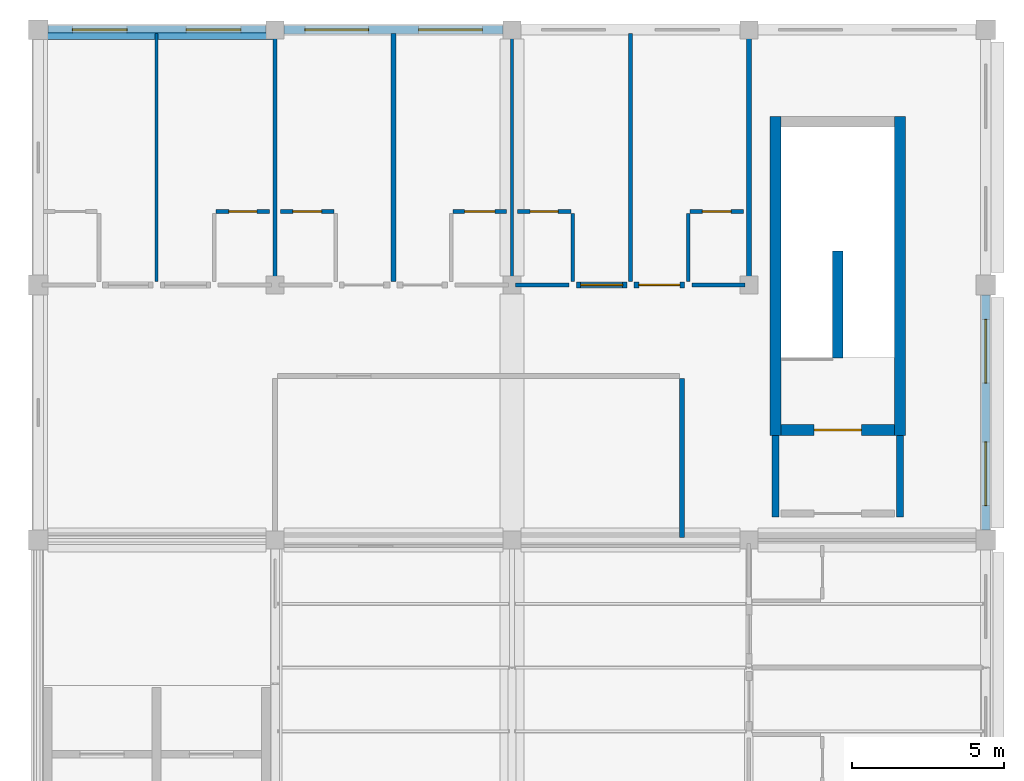
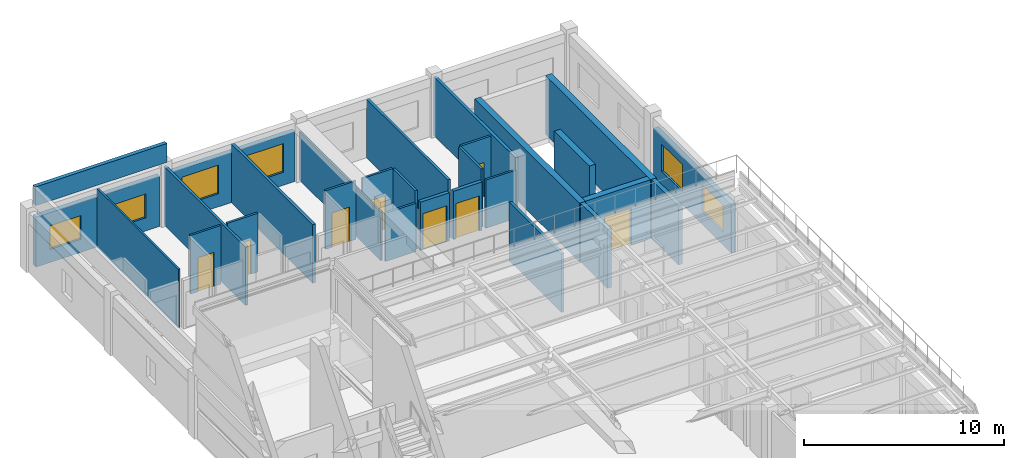
# One storey, part 18 of 20: 28 walls, 8 doors, 6 windows, 14 openings.
"""IFC4 building model written with IfcOpenShell, lengths in metres."""

import ifcopenshell
import ifcopenshell.guid

model = None  # the IFC model being written
_history = None  # IfcOwnerHistory: only IFC2X3 demands one
_inside = {}  # id of a spatial element -> (the spatial element, [elements in it])
_under = {}  # id of a project, library or spatial element -> (it, [spatial elements below it])
_declared = {}  # id of a project -> (the project, [libraries it declares])
_typed = {}  # id of a type object -> (the type object, [elements of that type])
_made_of = {}  # id of a material, layer set ... -> (it, [elements and type objects made of it])


def new_model(schema):
    """Start an empty IFC model of exactly this schema.

    Asked for "IFC4X3", IfcOpenShell would pick the latest addendum, in which some entities
    have other attributes; the version numbers below select the first issue.
    IFC2X3 requires an IfcOwnerHistory on every rooted entity: one is made here for all.
    """
    global model, _history
    if schema == "IFC4X3":
        model = ifcopenshell.file(schema_version=(4, 3, 0, 0))
    else:
        model = ifcopenshell.file(schema=schema)
    _inside.clear()
    _under.clear()
    _declared.clear()
    _typed.clear()
    _made_of.clear()
    _history = None
    if model.schema == "IFC2X3":
        org = make("IfcOrganization", Name="unknown")
        user = make(
            "IfcPersonAndOrganization",
            ThePerson=make("IfcPerson", FamilyName="unknown"),
            TheOrganization=org,
        )
        app = make(
            "IfcApplication",
            ApplicationDeveloper=org,
            Version="unknown",
            ApplicationFullName="unknown",
            ApplicationIdentifier="unknown",
        )
        _history = make(
            "IfcOwnerHistory",
            OwningUser=user,
            OwningApplication=app,
            ChangeAction="ADDED",
            CreationDate=0,
        )
    return model


def make(cls, **values):
    """One entity of the class cls with the attributes given. An attribute that is None is left unset."""
    return model.create_entity(
        cls, **{name: value for name, value in values.items() if value is not None}
    )


def rooted(cls, **values):
    """An entity with a GlobalId (a new one), such as an element, a storey or a relation."""
    return make(cls, GlobalId=ifcopenshell.guid.new(), OwnerHistory=_history, **values)


def si_unit(unit_type, name, prefix=None):
    """IfcSIUnit, for example si_unit("LENGTHUNIT", "METRE", prefix="MILLI")."""
    return make("IfcSIUnit", UnitType=unit_type, Prefix=prefix, Name=name)


def assignment(units):
    """IfcUnitAssignment: the units of a project."""
    return None if units is None else make("IfcUnitAssignment", Units=units)


def point(xyz):
    """IfcCartesianPoint."""
    return None if xyz is None else make("IfcCartesianPoint", Coordinates=xyz)


def direction(xyz):
    """IfcDirection."""
    return None if xyz is None else make("IfcDirection", DirectionRatios=xyz)


def frame(location, z_axis=None, x_axis=None):
    """IfcAxis2Placement3D, a coordinate frame: its origin and axes. An axis left out is left unset."""
    return make(
        "IfcAxis2Placement3D",
        Location=point(location),
        Axis=direction(z_axis),
        RefDirection=direction(x_axis),
    )


def frame_2d(location, x_axis=None):
    """IfcAxis2Placement2D, a coordinate frame in the plane: its origin and x axis."""
    return make(
        "IfcAxis2Placement2D", Location=point(location), RefDirection=direction(x_axis)
    )


def origin():
    """The frame at (0, 0, 0) with its axes left unset."""
    return frame((0.0, 0.0, 0.0))


def place(relative_to, where):
    """IfcLocalPlacement: puts the frame where relative to a parent placement (None: the world)."""
    return make(
        "IfcLocalPlacement", PlacementRelTo=relative_to, RelativePlacement=where
    )


def context(
    kind, dimensions, precision=None, world=None, true_north=None, identifier=None
):
    """IfcGeometricRepresentationContext, for example the 3D "Model" context."""
    return make(
        "IfcGeometricRepresentationContext",
        ContextIdentifier=identifier,
        ContextType=kind,
        CoordinateSpaceDimension=dimensions,
        Precision=precision,
        WorldCoordinateSystem=world,
        TrueNorth=true_north,
    )


def subcontext(parent, identifier, kind, view, scale=None):
    """IfcGeometricRepresentationSubContext, for example "Body" below "Model"."""
    return make(
        "IfcGeometricRepresentationSubContext",
        ContextIdentifier=identifier,
        ContextType=kind,
        ParentContext=parent,
        TargetScale=scale,
        TargetView=view,
    )


def project(units=None, contexts=None):
    """IfcProject with its units and contexts."""
    return rooted(
        "IfcProject",
        Name="project",
        RepresentationContexts=contexts,
        UnitsInContext=assignment(units),
    )


def spatial(cls, under=None, at=None, **own):
    """A site, building, storey or space (cls), placed at a placement, below another one or the project."""
    s = rooted(cls, ObjectPlacement=at, **own)
    if under is not None:
        _under.setdefault(under.id(), (under, []))[1].append(s)
    return s


def profile(cls, at=None, kind="AREA", **sizes):
    """A parametric profile (cls). Its sizes go by their IFC names, for example OverallWidth=200.0."""
    return make(cls, ProfileType=kind, Position=at, **sizes)


def rectangle(**sizes):
    """IfcRectangleProfileDef."""
    return profile("IfcRectangleProfileDef", **sizes)


def extrude(swept, where, along, depth):
    """IfcExtrudedAreaSolid: the profile swept, set in the frame where, extruded along a direction by depth."""
    return make(
        "IfcExtrudedAreaSolid",
        SweptArea=swept,
        Position=where,
        ExtrudedDirection=direction(along),
        Depth=depth,
    )


def shape(context_of_items, identifier, shape_type, items):
    """IfcShapeRepresentation: the items that make up one representation, for example the "Body"."""
    return make(
        "IfcShapeRepresentation",
        ContextOfItems=context_of_items,
        RepresentationIdentifier=identifier,
        RepresentationType=shape_type,
        Items=items,
    )


def material(Name=None, Category=None):
    """IfcMaterial."""
    return make("IfcMaterial", Name=Name, Category=Category)


def layer(
    of_material, thickness, ventilated=None, Name=None, Category=None, Priority=None
):
    """IfcMaterialLayer: one layer of a wall or slab, of a material (None: an air gap)."""
    return make(
        "IfcMaterialLayer",
        Material=of_material,
        LayerThickness=thickness,
        IsVentilated=ventilated,
        Name=Name,
        Category=Category,
        Priority=Priority,
    )


def layer_set(layers, Name=None):
    """IfcMaterialLayerSet."""
    return make("IfcMaterialLayerSet", MaterialLayers=layers, LayerSetName=Name)


def made_of(thing, what):
    """Note that an element or type object is made of a material, layer set ...; save() writes the relation."""
    if what is not None:
        _made_of.setdefault(what.id(), (what, []))[1].append(thing)
    return thing


def type_object(cls, material=None, **own):
    """A type object (cls), such as IfcWallType, which elements share."""
    return made_of(rooted(cls, **own), material)


def element(
    cls,
    number,
    at=None,
    inside=None,
    cuts=None,
    type_object=None,
    material=None,
    context=None,
    identifier="Body",
    shape_type=None,
    held_by="IfcProductDefinitionShape",
    body=None,
    shapes=None,
    **own,
):
    """One element of the class cls, such as IfcWall. Its Tag is "e" and its number.

    at: its placement. inside: the storey or other place that contains it. cuts: it is an
    opening in that element (IfcRelVoidsElement). A single representation is given by context,
    identifier, shape_type and body (its items); several are given by shapes. held_by: the class
    of the entity that holds the representations. save() writes the other relations.
    """
    e = rooted(cls, Tag="e%d" % number, ObjectPlacement=at, **own)
    if body is not None:
        shapes = [shape(context, identifier, shape_type, body)]
    if shapes is not None:
        e.Representation = make(held_by, Representations=shapes)
    if inside is not None:
        _inside.setdefault(inside.id(), (inside, []))[1].append(e)
    if cuts is not None:
        rooted(
            "IfcRelVoidsElement", RelatingBuildingElement=cuts, RelatedOpeningElement=e
        )
    if type_object is not None:
        _typed.setdefault(type_object.id(), (type_object, []))[1].append(e)
    return made_of(e, material)


def fill(opening, filler):
    """IfcRelFillsElement: the door or window that sits in an opening."""
    return rooted(
        "IfcRelFillsElement",
        RelatingOpeningElement=opening,
        RelatedBuildingElement=filler,
    )


def aggregate(whole, parts):
    """IfcRelAggregates: a whole, such as a stair, and the parts it consists of."""
    return rooted("IfcRelAggregates", RelatingObject=whole, RelatedObjects=parts)


def save(model, path):
    """Write the relations noted so far, then the file.

    IfcRelAggregates (storeys below a building ...), IfcRelContainedInSpatialStructure (elements
    in a storey), IfcRelDefinesByType, IfcRelAssociatesMaterial and IfcRelDeclares: one each for
    every whole, place, type object, material and project.
    """
    for whole, parts in _under.values():
        aggregate(whole, parts)
    for where, things in _inside.values():
        rooted(
            "IfcRelContainedInSpatialStructure",
            RelatedElements=things,
            RelatingStructure=where,
        )
    for kind, things in _typed.values():
        rooted("IfcRelDefinesByType", RelatedObjects=things, RelatingType=kind)
    for what, things in _made_of.values():
        rooted("IfcRelAssociatesMaterial", RelatedObjects=things, RelatingMaterial=what)
    for by, libraries in _declared.values():
        rooted("IfcRelDeclares", RelatingContext=by, RelatedDefinitions=libraries)
    model.write(path)


model = new_model("IFC4")

# Units and contexts
model_context = context("Model", 3, precision=1e-05, world=origin(), true_north=direction((0.0, 1.0)))
body_context = subcontext(model_context, "Body", "Model", "MODEL_VIEW")
ifc_project = project(units=[si_unit("LENGTHUNIT", "METRE"), si_unit("AREAUNIT", "SQUARE_METRE"), si_unit("VOLUMEUNIT", "CUBIC_METRE"), si_unit("PLANEANGLEUNIT", "RADIAN"), si_unit("MASSUNIT", "GRAM", prefix="KILO"), si_unit("THERMODYNAMICTEMPERATUREUNIT", "KELVIN"), si_unit("POWERUNIT", "WATT")], contexts=[model_context])

# Site, building, storey
site_placement = place(None, origin())
site = spatial("IfcSite", under=ifc_project, at=site_placement, CompositionType="ELEMENT")
building_placement = place(site_placement, origin())
building = spatial("IfcBuilding", under=site, at=building_placement, Name="Srebrne Nadtorze General Hospital", CompositionType="ELEMENT")
storey_placement = place(building_placement, frame((0.0, 0.0, 33.89990234375)))
storey = spatial("IfcBuildingStorey", under=building, at=storey_placement, Name="L08", CompositionType="ELEMENT", Elevation=33.89990234375)

# Walls
ifc_material_1 = material(Name="Gypsum Healthcare Partition")
ifc_layer_1 = layer(ifc_material_1, 0.139892578125)
ifc_layer_set_1 = layer_set([ifc_layer_1], Name="Gypsum Healthcare Partition")
wall_type_1 = type_object("IfcWallType", Name="Clinical partition 140", PredefinedType="PARTITIONING", material=ifc_layer_set_1)
for number, where, z_axis, x_axis, name in (
    (1, (31.199951171875, 84.1201171875, 0.0), (0.0, 0.0, 1.0), (0.0, 1.0, 0.0), "Ward inter-room partition WL-INT-L08-2475"),
    (2, (42.89990234375, 84.1201171875, 0.0), (0.0, 0.0, 1.0), (0.0, 1.0, 0.0), "Ward inter-room partition WL-INT-L08-2490"),
):
    element("IfcWall", number, at=place(storey_placement, frame(where, z_axis=z_axis, x_axis=x_axis)), inside=storey, type_object=wall_type_1, Name=name, PredefinedType="PARTITIONING", context=body_context, shape_type="SweptSolid", body=[
        extrude(rectangle(XDim=8.159912109375, YDim=0.139892578125, at=frame_2d((4.080078125, 0.0))), origin(), (0.0, 0.0, 1.0), 3.580078125),
    ])
ifc_material_2 = material(Name="Gypsum Healthcare Partition")
ifc_layer_2 = layer(ifc_material_2, 0.159912109375)
ifc_layer_set_2 = layer_set([ifc_layer_2], Name="Gypsum Healthcare Partition")
wall_type_2 = type_object("IfcWallType", Name="Clinical partition 160", PredefinedType="PARTITIONING", material=ifc_layer_set_2)
for number, where, z_axis, x_axis, name in (
    (3, (35.10009765625, 84.1201171875, 0.0), (0.0, 0.0, 1.0), (0.0, 1.0, 0.0), "Ward inter-room partition WL-INT-L08-2480"),
    (4, (46.800048828125, 84.1201171875, 0.0), (0.0, 0.0, 1.0), (0.0, 1.0, 0.0), "Ward inter-room partition WL-INT-L08-2495"),
):
    element("IfcWall", number, at=place(storey_placement, frame(where, z_axis=z_axis, x_axis=x_axis)), inside=storey, type_object=wall_type_2, Name=name, PredefinedType="PARTITIONING", context=body_context, shape_type="SweptSolid", body=[
        extrude(rectangle(XDim=8.159912109375, YDim=0.159912109375, at=frame_2d((4.080078125, 0.0))), origin(), (0.0, 0.0, 1.0), 3.580078125),
    ])
wall_1_placement = place(storey_placement, frame((44.60009765625, 75.68505859375, 0.0), z_axis=(0.0, 0.0, 1.0), x_axis=(0.0, 1.0, 0.0)))
element("IfcWall", 5, at=wall_1_placement, inside=storey, type_object=wall_type_2, Name="Flight Medical Crew Readiness Room wall WL-INT-L08-2529", PredefinedType="PARTITIONING", context=body_context, shape_type="SweptSolid", body=[
    extrude(rectangle(XDim=5.22998046875, YDim=0.159912109375, at=frame_2d((2.614990234375, 0.0))), origin(), (0.0, 0.0, 1.0), 3.580078125),
])

# Wall, opening, door
ifc_material_3 = material(Name="Gypsum Healthcare Partition")
ifc_layer_3 = layer(ifc_material_3, 0.199951171875)
ifc_layer_set_3 = layer_set([ifc_layer_3], Name="Gypsum Healthcare Partition")
wall_type_3 = type_object("IfcWallType", Name="Compartment wall 200", PredefinedType="STANDARD", material=ifc_layer_set_3)
wall_2_placement = place(storey_placement, frame((41.1201171875, 84.0, 0.0), z_axis=(0.0, 0.0, 1.0), x_axis=(1.0, 0.0, 0.0)))
wall_2 = element("IfcWall", 6, at=wall_2_placement, inside=storey, type_object=wall_type_3, Name="Ward corridor wall WL-INT-L08-2491", PredefinedType="STANDARD", context=body_context, shape_type="SweptSolid", body=[
    extrude(rectangle(XDim=1.659912109375, YDim=0.199951171875, at=frame_2d((0.830078125, 0.0))), origin(), (0.0, 0.0, 1.0), 2.9501953125),
])
opening_1_placement = place(wall_2_placement, frame((0.139892578125, 0.0, 0.0)))
opening_1 = element("IfcOpeningElement", 7, at=opening_1_placement, cuts=wall_2, Name="Opening D-L08-0581", PredefinedType="OPENING", context=body_context, shape_type="SweptSolid", body=[
    extrude(rectangle(XDim=1.3798828125, YDim=2.199951171875, at=frame_2d((0.68994140625, 1.10009765625))), frame((0.0, 0.11181640625, 0.0), z_axis=(0.0, -1.0, 0.0), x_axis=(1.0, 0.0, 0.0)), (0.0, 0.0, 1.0), 0.223876953125),
])
ifc_material_4 = material(Name="Anodised Aluminium", Category="aluminium")
door_type_1 = type_object("IfcDoorType", Name="Single leaf door 1380x2200", OperationType="NOTDEFINED", PredefinedType="DOOR", material=ifc_material_4)
door_1_placement = place(opening_1_placement, origin())
door_1 = element("IfcDoor", 8, at=door_1_placement, inside=storey, type_object=door_type_1, Name="Ward patient room door D-L08-0581", OperationType="SINGLE_SWING_LEFT", OverallHeight=2.199951171875, OverallWidth=1.3798828125, PredefinedType="DOOR", context=body_context, shape_type="SweptSolid", body=[
    extrude(rectangle(XDim=1.3798828125, YDim=2.199951171875, at=frame_2d((0.68994140625, 1.10009765625))), frame((0.0, 0.02490234375, 0.0), z_axis=(0.0, -1.0, 0.0), x_axis=(1.0, 0.0, 0.0)), (0.0, 0.0, 1.0), 0.050048828125),
])
fill(opening_1, door_1)

wall_3_placement = place(storey_placement, frame((43.02001953125, 84.0, 0.0), z_axis=(0.0, 0.0, 1.0), x_axis=(1.0, 0.0, 0.0)))
wall_3 = element("IfcWall", 9, at=wall_3_placement, inside=storey, type_object=wall_type_3, Name="Ward corridor wall WL-INT-L08-2496", PredefinedType="STANDARD", context=body_context, shape_type="SweptSolid", body=[
    extrude(rectangle(XDim=1.659912109375, YDim=0.199951171875, at=frame_2d((0.830078125, 0.0))), origin(), (0.0, 0.0, 1.0), 2.9501953125),
])
opening_2_placement = place(wall_3_placement, frame((0.155029296875, 0.0, 0.0)))
opening_2 = element("IfcOpeningElement", 10, at=opening_2_placement, cuts=wall_3, Name="Opening D-L08-0583", PredefinedType="OPENING", context=body_context, shape_type="SweptSolid", body=[
    extrude(rectangle(XDim=1.35009765625, YDim=2.14990234375, at=frame_2d((0.675048828125, 1.074951171875))), frame((0.0, 0.11181640625, 0.0), z_axis=(0.0, -1.0, 0.0), x_axis=(1.0, 0.0, 0.0)), (0.0, 0.0, 1.0), 0.223876953125),
])
ifc_material_5 = material(Name="Anodised Aluminium", Category="aluminium")
door_type_2 = type_object("IfcDoorType", Name="Single leaf door 1350x2150", OperationType="NOTDEFINED", PredefinedType="DOOR", material=ifc_material_5)
door_2_placement = place(opening_2_placement, origin())
door_2 = element("IfcDoor", 11, at=door_2_placement, inside=storey, type_object=door_type_2, Name="Ward patient room door D-L08-0583", OperationType="SINGLE_SWING_LEFT", OverallHeight=2.14990234375, OverallWidth=1.35009765625, PredefinedType="DOOR", context=body_context, shape_type="SweptSolid", body=[
    extrude(rectangle(XDim=1.35009765625, YDim=2.14990234375, at=frame_2d((0.675048828125, 1.074951171875))), frame((0.0, 0.02490234375, 0.0), z_axis=(0.0, -1.0, 0.0), x_axis=(1.0, 0.0, 0.0)), (0.0, 0.0, 1.0), 0.050048828125),
])
fill(opening_2, door_2)

# Walls
ifc_material_6 = material(Name="Gypsum Healthcare Partition")
ifc_layer_4 = layer(ifc_material_6, 0.239990234375)
ifc_layer_set_4 = layer_set([ifc_layer_4], Name="Gypsum Healthcare Partition")
wall_type_4 = type_object("IfcWallType", Name="Corridor fire wall 240", PredefinedType="STANDARD", material=ifc_layer_set_4)
for number, where, z_axis, x_axis, name in (
    (12, (47.675048828125, 76.35498046875, 0.0), (0.0, 0.0, 1.0), (0.0, 1.0, 0.0), "Fire lobby wall ST-02 WL-INT-L08-0453"),
    (13, (51.77490234375, 76.35498046875, 0.0), (0.0, 0.0, 1.0), (0.0, 1.0, 0.0), "Fire lobby wall ST-02 WL-INT-L08-0454"),
):
    element("IfcWall", number, at=place(storey_placement, frame(where, z_axis=z_axis, x_axis=x_axis)), inside=storey, type_object=wall_type_4, Name=name, PredefinedType="STANDARD", context=body_context, shape_type="SweptSolid", body=[
        extrude(rectangle(XDim=2.695068359375, YDim=0.239990234375, at=frame_2d((1.34765625, 0.0))), origin(), (0.0, 0.0, 1.0), 3.60009765625),
    ])

# Wall, opening, door
ifc_material_7 = material(Name="Gypsum Healthcare Partition")
ifc_layer_5 = layer(ifc_material_7, 0.1201171875)
ifc_layer_set_5 = layer_set([ifc_layer_5], Name="Gypsum Healthcare Partition")
wall_type_5 = type_object("IfcWallType", Name="En-suite partition 120", PredefinedType="PARTITIONING", material=ifc_layer_set_5)
wall_4_placement = place(storey_placement, frame((29.260009765625, 86.419921875, 0.0), z_axis=(0.0, 0.0, 1.0), x_axis=(1.0, 0.0, 0.0)))
wall_4 = element("IfcWall", 14, at=wall_4_placement, inside=storey, type_object=wall_type_5, Name="En-suite wet wall WL-INT-L08-2479", PredefinedType="PARTITIONING", context=body_context, shape_type="SweptSolid", body=[
    extrude(rectangle(XDim=1.760009765625, YDim=0.1201171875, at=frame_2d((0.8798828125, 0.0))), origin(), (0.0, 0.0, 1.0), 3.580078125),
])
opening_3_placement = place(wall_4_placement, frame((0.419921875, 0.0, 0.0)))
opening_3 = element("IfcOpeningElement", 15, at=opening_3_placement, cuts=wall_4, Name="Opening D-L08-0576", PredefinedType="OPENING", context=body_context, shape_type="SweptSolid", body=[
    extrude(rectangle(XDim=0.919921875, YDim=2.080078125, at=frame_2d((0.4599609375, 1.0400390625))), frame((0.0, 0.072021484375, 0.0), z_axis=(0.0, -1.0, 0.0), x_axis=(1.0, 0.0, 0.0)), (0.0, 0.0, 1.0), 0.14404296875),
])
ifc_material_8 = material(Name="Anodised Aluminium", Category="aluminium")
door_type_3 = type_object("IfcDoorType", Name="Single leaf door 920x2080", OperationType="NOTDEFINED", PredefinedType="DOOR", material=ifc_material_8)
door_3_placement = place(opening_3_placement, frame((0.919921875, 0.0, 0.0), z_axis=(0.0, 0.0, 1.0), x_axis=(-1.0, 0.0, 0.0)))
door_3 = element("IfcDoor", 16, at=door_3_placement, inside=storey, type_object=door_type_3, Name="En-suite bathroom door D-L08-0576", OperationType="SINGLE_SWING_LEFT", OverallHeight=2.080078125, OverallWidth=0.919921875, PredefinedType="DOOR", context=body_context, shape_type="SweptSolid", body=[
    extrude(rectangle(XDim=0.919921875, YDim=2.080078125, at=frame_2d((0.4599609375, 1.0400390625))), frame((0.0, 0.02490234375, 0.0), z_axis=(0.0, -1.0, 0.0), x_axis=(1.0, 0.0, 0.0)), (0.0, 0.0, 1.0), 0.050048828125),
])
fill(opening_3, door_3)

wall_5_placement = place(storey_placement, frame((31.3798828125, 86.419921875, 0.0), z_axis=(0.0, 0.0, 1.0), x_axis=(1.0, 0.0, 0.0)))
wall_5 = element("IfcWall", 17, at=wall_5_placement, inside=storey, type_object=wall_type_5, Name="En-suite wet wall WL-INT-L08-2484", PredefinedType="PARTITIONING", context=body_context, shape_type="SweptSolid", body=[
    extrude(rectangle(XDim=1.760009765625, YDim=0.1201171875, at=frame_2d((0.8798828125, 0.0))), origin(), (0.0, 0.0, 1.0), 3.580078125),
])
opening_4_placement = place(wall_5_placement, frame((0.405029296875, 0.0, 0.0)))
opening_4 = element("IfcOpeningElement", 18, at=opening_4_placement, cuts=wall_5, Name="Opening D-L08-0578", PredefinedType="OPENING", context=body_context, shape_type="SweptSolid", body=[
    extrude(rectangle(XDim=0.949951171875, YDim=2.10009765625, at=frame_2d((0.47509765625, 1.050048828125))), frame((0.0, 0.072021484375, 0.0), z_axis=(0.0, -1.0, 0.0), x_axis=(1.0, 0.0, 0.0)), (0.0, 0.0, 1.0), 0.14404296875),
])
ifc_material_9 = material(Name="Anodised Aluminium", Category="aluminium")
door_type_4 = type_object("IfcDoorType", Name="Single leaf door 950x2100", OperationType="NOTDEFINED", PredefinedType="DOOR", material=ifc_material_9)
door_4_placement = place(opening_4_placement, frame((0.949951171875, 0.0, 0.0), z_axis=(0.0, 0.0, 1.0), x_axis=(-1.0, 0.0, 0.0)))
door_4 = element("IfcDoor", 19, at=door_4_placement, inside=storey, type_object=door_type_4, Name="En-suite bathroom door D-L08-0578", OperationType="SINGLE_SWING_LEFT", OverallHeight=2.10009765625, OverallWidth=0.949951171875, PredefinedType="DOOR", context=body_context, shape_type="SweptSolid", body=[
    extrude(rectangle(XDim=0.949951171875, YDim=2.10009765625, at=frame_2d((0.47509765625, 1.050048828125))), frame((0.0, 0.02490234375, 0.0), z_axis=(0.0, -1.0, 0.0), x_axis=(1.0, 0.0, 0.0)), (0.0, 0.0, 1.0), 0.050048828125),
])
fill(opening_4, door_4)

wall_6_placement = place(storey_placement, frame((37.06005859375, 86.419921875, 0.0), z_axis=(0.0, 0.0, 1.0), x_axis=(1.0, 0.0, 0.0)))
wall_6 = element("IfcWall", 20, at=wall_6_placement, inside=storey, type_object=wall_type_5, Name="En-suite wet wall WL-INT-L08-2489", PredefinedType="PARTITIONING", context=body_context, shape_type="SweptSolid", body=[
    extrude(rectangle(XDim=1.760009765625, YDim=0.1201171875, at=frame_2d((0.8798828125, 0.0))), origin(), (0.0, 0.0, 1.0), 3.580078125),
])
opening_5_placement = place(wall_6_placement, frame((0.3798828125, 0.0, 0.0)))
opening_5 = element("IfcOpeningElement", 21, at=opening_5_placement, cuts=wall_6, Name="Opening D-L08-0580", PredefinedType="OPENING", context=body_context, shape_type="SweptSolid", body=[
    extrude(rectangle(XDim=1.0, YDim=2.10009765625, at=frame_2d((0.5, 1.050048828125))), frame((0.0, 0.072021484375, 0.0), z_axis=(0.0, -1.0, 0.0), x_axis=(1.0, 0.0, 0.0)), (0.0, 0.0, 1.0), 0.14404296875),
])
ifc_material_10 = material(Name="Anodised Aluminium", Category="aluminium")
door_type_5 = type_object("IfcDoorType", Name="Single leaf door 1000x2100", OperationType="NOTDEFINED", PredefinedType="DOOR", material=ifc_material_10)
door_5_placement = place(opening_5_placement, frame((1.0, 0.0, 0.0), z_axis=(0.0, 0.0, 1.0), x_axis=(-1.0, 0.0, 0.0)))
door_5 = element("IfcDoor", 22, at=door_5_placement, inside=storey, type_object=door_type_5, Name="En-suite bathroom door D-L08-0580", OperationType="SINGLE_SWING_LEFT", OverallHeight=2.10009765625, OverallWidth=1.0, PredefinedType="DOOR", context=body_context, shape_type="SweptSolid", body=[
    extrude(rectangle(XDim=1.0, YDim=2.10009765625, at=frame_2d((0.5, 1.050048828125))), frame((0.0, 0.02490234375, 0.0), z_axis=(0.0, -1.0, 0.0), x_axis=(1.0, 0.0, 0.0)), (0.0, 0.0, 1.0), 0.050048828125),
])
fill(opening_5, door_5)

# Walls
wall_7_placement = place(storey_placement, frame((39.1201171875, 84.0, 0.0), z_axis=(0.0, 0.0, 1.0), x_axis=(1.0, 0.0, 0.0)))
element("IfcWall", 23, at=wall_7_placement, inside=storey, type_object=wall_type_5, Name="En-suite corridor wall WL-INT-L08-2492", PredefinedType="PARTITIONING", context=body_context, shape_type="SweptSolid", body=[
    extrude(rectangle(XDim=1.759765625, YDim=0.1201171875, at=frame_2d((0.8798828125, 0.0))), origin(), (0.0, 0.0, 1.0), 2.9501953125),
])
wall_8_placement = place(storey_placement, frame((41.0, 84.1201171875, 0.0), z_axis=(0.0, 0.0, 1.0), x_axis=(0.0, 1.0, 0.0)))
element("IfcWall", 24, at=wall_8_placement, inside=storey, type_object=wall_type_5, Name="En-suite wet wall WL-INT-L08-2493", PredefinedType="PARTITIONING", context=body_context, shape_type="SweptSolid", body=[
    extrude(rectangle(XDim=2.239990234375, YDim=0.1201171875, at=frame_2d((1.1201171875, 0.0))), origin(), (0.0, 0.0, 1.0), 3.580078125),
])

# Wall, opening, door
wall_9_placement = place(storey_placement, frame((39.179931640625, 86.419921875, 0.0), z_axis=(0.0, 0.0, 1.0), x_axis=(1.0, 0.0, 0.0)))
wall_9 = element("IfcWall", 25, at=wall_9_placement, inside=storey, type_object=wall_type_5, Name="En-suite wet wall WL-INT-L08-2494", PredefinedType="PARTITIONING", context=body_context, shape_type="SweptSolid", body=[
    extrude(rectangle(XDim=1.760009765625, YDim=0.1201171875, at=frame_2d((0.8798828125, 0.0))), origin(), (0.0, 0.0, 1.0), 3.580078125),
])
opening_6_placement = place(wall_9_placement, frame((0.419921875, 0.0, 0.0)))
opening_6 = element("IfcOpeningElement", 26, at=opening_6_placement, cuts=wall_9, Name="Opening D-L08-0582", PredefinedType="OPENING", context=body_context, shape_type="SweptSolid", body=[
    extrude(rectangle(XDim=0.919921875, YDim=2.080078125, at=frame_2d((0.4599609375, 1.0400390625))), frame((0.0, 0.072021484375, 0.0), z_axis=(0.0, -1.0, 0.0), x_axis=(1.0, 0.0, 0.0)), (0.0, 0.0, 1.0), 0.14404296875),
])
door_6_placement = place(opening_6_placement, frame((0.919921875, 0.0, 0.0), z_axis=(0.0, 0.0, 1.0), x_axis=(-1.0, 0.0, 0.0)))
door_6 = element("IfcDoor", 27, at=door_6_placement, inside=storey, type_object=door_type_3, Name="En-suite bathroom door D-L08-0582", OperationType="SINGLE_SWING_LEFT", OverallHeight=2.080078125, OverallWidth=0.919921875, PredefinedType="DOOR", context=body_context, shape_type="SweptSolid", body=[
    extrude(rectangle(XDim=0.919921875, YDim=2.080078125, at=frame_2d((0.4599609375, 1.0400390625))), frame((0.0, 0.02490234375, 0.0), z_axis=(0.0, -1.0, 0.0), x_axis=(1.0, 0.0, 0.0)), (0.0, 0.0, 1.0), 0.050048828125),
])
fill(opening_6, door_6)

# Walls
wall_10_placement = place(storey_placement, frame((44.919921875, 84.0, 0.0), z_axis=(0.0, 0.0, 1.0), x_axis=(1.0, 0.0, 0.0)))
element("IfcWall", 28, at=wall_10_placement, inside=storey, type_object=wall_type_5, Name="En-suite corridor wall WL-INT-L08-2497", PredefinedType="PARTITIONING", context=body_context, shape_type="SweptSolid", body=[
    extrude(rectangle(XDim=1.760009765625, YDim=0.1201171875, at=frame_2d((0.8798828125, 0.0))), origin(), (0.0, 0.0, 1.0), 2.9501953125),
])
wall_11_placement = place(storey_placement, frame((44.800048828125, 84.1201171875, 0.0), z_axis=(0.0, 0.0, 1.0), x_axis=(0.0, 1.0, 0.0)))
element("IfcWall", 29, at=wall_11_placement, inside=storey, type_object=wall_type_5, Name="En-suite wet wall WL-INT-L08-2498", PredefinedType="PARTITIONING", context=body_context, shape_type="SweptSolid", body=[
    extrude(rectangle(XDim=2.239990234375, YDim=0.1201171875, at=frame_2d((1.1201171875, 0.0))), origin(), (0.0, 0.0, 1.0), 3.580078125),
])

# Wall, opening, door
wall_12_placement = place(storey_placement, frame((44.860107421875, 86.419921875, 0.0), z_axis=(0.0, 0.0, 1.0), x_axis=(1.0, 0.0, 0.0)))
wall_12 = element("IfcWall", 30, at=wall_12_placement, inside=storey, type_object=wall_type_5, Name="En-suite wet wall WL-INT-L08-2499", PredefinedType="PARTITIONING", context=body_context, shape_type="SweptSolid", body=[
    extrude(rectangle(XDim=1.760009765625, YDim=0.1201171875, at=frame_2d((0.8798828125, 0.0))), origin(), (0.0, 0.0, 1.0), 3.580078125),
])
opening_7_placement = place(wall_12_placement, frame((0.405029296875, 0.0, 0.0)))
opening_7 = element("IfcOpeningElement", 31, at=opening_7_placement, cuts=wall_12, Name="Opening D-L08-0584", PredefinedType="OPENING", context=body_context, shape_type="SweptSolid", body=[
    extrude(rectangle(XDim=0.949951171875, YDim=2.10009765625, at=frame_2d((0.47509765625, 1.050048828125))), frame((0.0, 0.072021484375, 0.0), z_axis=(0.0, -1.0, 0.0), x_axis=(1.0, 0.0, 0.0)), (0.0, 0.0, 1.0), 0.14404296875),
])
door_7_placement = place(opening_7_placement, frame((0.949951171875, 0.0, 0.0), z_axis=(0.0, 0.0, 1.0), x_axis=(-1.0, 0.0, 0.0)))
door_7 = element("IfcDoor", 32, at=door_7_placement, inside=storey, type_object=door_type_4, Name="En-suite bathroom door D-L08-0584", OperationType="SINGLE_SWING_LEFT", OverallHeight=2.10009765625, OverallWidth=0.949951171875, PredefinedType="DOOR", context=body_context, shape_type="SweptSolid", body=[
    extrude(rectangle(XDim=0.949951171875, YDim=2.10009765625, at=frame_2d((0.47509765625, 1.050048828125))), frame((0.0, 0.02490234375, 0.0), z_axis=(0.0, -1.0, 0.0), x_axis=(1.0, 0.0, 0.0)), (0.0, 0.0, 1.0), 0.050048828125),
])
fill(opening_7, door_7)

# Walls
ifc_material_11 = material(Name="Concrete C35/45 precast", Category="concrete")
ifc_layer_6 = layer(ifc_material_11, 0.219970703125)
ifc_layer_set_6 = layer_set([ifc_layer_6], Name="Concrete C35/45 precast")
wall_type_6 = type_object("IfcWallType", Name="Roof parapet wall 220", PredefinedType="PARAPET", material=ifc_layer_set_6)
wall_13_placement = place(storey_placement, frame((23.60009765625, 92.199951171875, 3.900146484375), z_axis=(0.0, 0.0, 1.0), x_axis=(1.0, 0.0, 0.0)))
element("IfcWall", 33, at=wall_13_placement, inside=storey, type_object=wall_type_6, Name="Roof parapet wall WP-L08-02", PredefinedType="PARAPET", context=body_context, shape_type="SweptSolid", body=[
    extrude(rectangle(XDim=7.599853515625, YDim=0.219970703125, at=frame_2d((3.7998046875, 0.0))), origin(), (0.0, 0.0, 1.0), 1.14990234375),
])
ifc_material_12 = material(Name="Gypsum Healthcare Partition")
ifc_layer_7 = layer(ifc_material_12, 0.10009765625)
ifc_layer_set_7 = layer_set([ifc_layer_7], Name="Gypsum Healthcare Partition")
wall_type_7 = type_object("IfcWallType", Name="Shaft lining wall 100", PredefinedType="PARTITIONING", material=ifc_layer_set_7)
wall_14_placement = place(storey_placement, frame((27.300048828125, 84.1201171875, 0.0), z_axis=(0.0, 0.0, 1.0), x_axis=(0.0, 1.0, 0.0)))
element("IfcWall", 34, at=wall_14_placement, inside=storey, type_object=wall_type_7, Name="Ward inter-room partition WL-INT-L08-2470", PredefinedType="PARTITIONING", context=body_context, shape_type="SweptSolid", body=[
    extrude(rectangle(XDim=8.159912109375, YDim=0.10009765625, at=frame_2d((4.080078125, 0.0))), origin(), (0.0, 0.0, 1.0), 3.580078125),
])
wall_15_placement = place(storey_placement, frame((39.0, 84.1201171875, 0.0), z_axis=(0.0, 0.0, 1.0), x_axis=(0.0, 1.0, 0.0)))
element("IfcWall", 35, at=wall_15_placement, inside=storey, type_object=wall_type_7, Name="Ward inter-room partition WL-INT-L08-2485", PredefinedType="PARTITIONING", context=body_context, shape_type="SweptSolid", body=[
    extrude(rectangle(XDim=8.159912109375, YDim=0.10009765625, at=frame_2d((4.080078125, 0.0))), origin(), (0.0, 0.0, 1.0), 2.9501953125),
])
ifc_material_13 = material(Name="Concrete C40/50", Category="concrete")
ifc_layer_8 = layer(ifc_material_13, 0.35009765625)
ifc_layer_set_8 = layer_set([ifc_layer_8], Name="Concrete C40/50")
wall_type_8 = type_object("IfcWallType", Name="Shear core wall 350", PredefinedType="SHEAR", material=ifc_layer_set_8)
for number, where, z_axis, x_axis, name in (
    (36, (47.675048828125, 79.050048828125, 0.0), (0.0, 0.0, 1.0), (0.0, 1.0, 0.0), "Stair core wall ST-02 WL-INT-L08-0449"),
    (37, (51.77490234375, 79.050048828125, 0.0), (0.0, 0.0, 1.0), (0.0, 1.0, 0.0), "Stair core wall ST-02 WL-INT-L08-0450"),
):
    element("IfcWall", number, at=place(storey_placement, frame(where, z_axis=z_axis, x_axis=x_axis)), inside=storey, type_object=wall_type_8, Name=name, PredefinedType="SHEAR", context=body_context, shape_type="SweptSolid", body=[
        extrude(rectangle(XDim=10.5, YDim=0.35009765625, at=frame_2d((5.25, 0.0))), origin(), (0.0, 0.0, 1.0), 3.60009765625),
    ])

# Wall, opening, door
wall_16_placement = place(storey_placement, frame((47.85009765625, 79.22509765625, 0.0), z_axis=(0.0, 0.0, 1.0), x_axis=(1.0, 0.0, 0.0)))
wall_16 = element("IfcWall", 38, at=wall_16_placement, inside=storey, type_object=wall_type_8, Name="Stairwell fire wall ST-02 WL-INT-L08-0452", PredefinedType="SHEAR", context=body_context, shape_type="SweptSolid", body=[
    extrude(rectangle(XDim=3.75, YDim=0.35009765625, at=frame_2d((1.875, 0.0))), origin(), (0.0, 0.0, 1.0), 3.60009765625),
])
opening_8_placement = place(wall_16_placement, frame((1.10009765625, 0.0, 0.0)))
opening_8 = element("IfcOpeningElement", 39, at=opening_8_placement, cuts=wall_16, Name="Opening D-L08-0113", PredefinedType="OPENING", context=body_context, shape_type="SweptSolid", body=[
    extrude(rectangle(XDim=1.550048828125, YDim=2.25, at=frame_2d((0.77490234375, 1.125))), frame((0.0, 0.18701171875, 0.0), z_axis=(0.0, -1.0, 0.0), x_axis=(1.0, 0.0, 0.0)), (0.0, 0.0, 1.0), 0.3740234375),
])
ifc_material_14 = material(Name="Anodised Aluminium", Category="aluminium")
door_type_6 = type_object("IfcDoorType", Name="Double leaf door 1550x2250", OperationType="DOUBLE_DOOR_SINGLE_SWING", PredefinedType="DOOR", material=ifc_material_14)
door_8_placement = place(opening_8_placement, origin())
door_8 = element("IfcDoor", 40, at=door_8_placement, inside=storey, type_object=door_type_6, Name="Protected stair door ST-02 D-L08-0113", OperationType="DOUBLE_DOOR_SINGLE_SWING", OverallHeight=2.25, OverallWidth=1.550048828125, PredefinedType="DOOR", context=body_context, shape_type="SweptSolid", body=[
    extrude(rectangle(XDim=1.550048828125, YDim=2.25, at=frame_2d((0.77490234375, 1.125))), frame((0.0, 0.02490234375, 0.0), z_axis=(0.0, -1.0, 0.0), x_axis=(1.0, 0.0, 0.0)), (0.0, 0.0, 1.0), 0.050048828125),
])
fill(opening_8, door_8)

# Wall
wall_17_placement = place(storey_placement, frame((49.72509765625, 81.60009765625, 0.0), z_axis=(0.0, 0.0, 1.0), x_axis=(0.0, 1.0, 0.0)))
element("IfcWall", 41, at=wall_17_placement, inside=storey, type_object=wall_type_8, Name="Stair spine wall ST-02 WL-INT-L08-0456", PredefinedType="SHEAR", context=body_context, shape_type="SweptSolid", body=[
    extrude(rectangle(XDim=3.52001953125, YDim=0.35009765625, at=frame_2d((1.760009765625, 0.0))), origin(), (0.0, 0.0, 1.0), 3.60009765625),
])

# Wall, openings, windows
ifc_material_15 = material(Name="Concrete C35/45 precast", Category="concrete")
ifc_layer_9 = layer(ifc_material_15, 0.280029296875)
ifc_layer_set_9 = layer_set([ifc_layer_9], Name="Concrete C35/45 precast")
wall_type_9 = type_object("IfcWallType", Name="Spandrel wall 280", PredefinedType="STANDARD", material=ifc_layer_set_9)
wall_18_placement = place(storey_placement, frame((23.72509765625, 92.39990234375, 0.0), z_axis=(0.0, 0.0, 1.0), x_axis=(1.0, 0.0, 0.0)))
wall_18 = element("IfcWall", 42, at=wall_18_placement, inside=storey, type_object=wall_type_9, Name="Exterior wall WL-ENV-L08-0554", PredefinedType="STANDARD", context=body_context, shape_type="SweptSolid", body=[
    extrude(rectangle(XDim=7.1748046875, YDim=0.280029296875, at=frame_2d((3.58740234375, 0.0))), origin(), (0.0, 0.0, 1.0), 3.050048828125),
])
opening_9_placement = place(wall_18_placement, frame((0.802978515625, 0.0, 0.800048828125)))
opening_9 = element("IfcOpeningElement", 43, at=opening_9_placement, cuts=wall_18, Name="Opening WN-L08-0934", PredefinedType="OPENING", context=body_context, shape_type="SweptSolid", body=[
    extrude(rectangle(XDim=1.800048828125, YDim=1.449951171875, at=frame_2d((0.89990234375, 0.72509765625))), frame((0.0, 0.15185546875, 0.0), z_axis=(0.0, -1.0, 0.0), x_axis=(1.0, 0.0, 0.0)), (0.0, 0.0, 1.0), 0.303955078125),
])
opening_10_placement = place(wall_18_placement, frame((4.547119140625, 0.0, 0.800048828125)))
opening_10 = element("IfcOpeningElement", 44, at=opening_10_placement, cuts=wall_18, Name="Opening WN-L08-0935", PredefinedType="OPENING", context=body_context, shape_type="SweptSolid", body=[
    extrude(rectangle(XDim=1.800048828125, YDim=1.449951171875, at=frame_2d((0.89990234375, 0.72509765625))), frame((0.0, 0.15185546875, 0.0), z_axis=(0.0, -1.0, 0.0), x_axis=(1.0, 0.0, 0.0)), (0.0, 0.0, 1.0), 0.303955078125),
])
ifc_material_16 = material(Name="Triple Low-E Glazing", Category="glass")
window_type_1 = type_object("IfcWindowType", Name="Punched clinical window 1800x1450", PartitioningType="DOUBLE_PANEL_VERTICAL", PredefinedType="WINDOW", material=ifc_material_16)
window_1_placement = place(opening_9_placement, origin())
window_1 = element("IfcWindow", 45, at=window_1_placement, inside=storey, type_object=window_type_1, Name="Clinical window WN-L08-0934", OverallHeight=1.449951171875, OverallWidth=1.800048828125, PartitioningType="DOUBLE_PANEL_VERTICAL", PredefinedType="WINDOW", context=body_context, shape_type="SweptSolid", body=[
    extrude(rectangle(XDim=1.800048828125, YDim=1.449951171875, at=frame_2d((0.89990234375, 0.72509765625))), frame((0.0, 0.030029296875, 0.0), z_axis=(0.0, -1.0, 0.0), x_axis=(1.0, 0.0, 0.0)), (0.0, 0.0, 1.0), 0.06005859375),
])
fill(opening_9, window_1)
window_2_placement = place(opening_10_placement, origin())
window_2 = element("IfcWindow", 46, at=window_2_placement, inside=storey, type_object=window_type_1, Name="Clinical window WN-L08-0935", OverallHeight=1.449951171875, OverallWidth=1.800048828125, PartitioningType="DOUBLE_PANEL_VERTICAL", PredefinedType="WINDOW", context=body_context, shape_type="SweptSolid", body=[
    extrude(rectangle(XDim=1.800048828125, YDim=1.449951171875, at=frame_2d((0.89990234375, 0.72509765625))), frame((0.0, 0.030029296875, 0.0), z_axis=(0.0, -1.0, 0.0), x_axis=(1.0, 0.0, 0.0)), (0.0, 0.0, 1.0), 0.06005859375),
])
fill(opening_10, window_2)

wall_19_placement = place(storey_placement, frame((31.5, 92.39990234375, 0.0), z_axis=(0.0, 0.0, 1.0), x_axis=(1.0, 0.0, 0.0)))
wall_19 = element("IfcWall", 47, at=wall_19_placement, inside=storey, type_object=wall_type_9, Name="Exterior wall WL-ENV-L08-0555", PredefinedType="STANDARD", context=body_context, shape_type="SweptSolid", body=[
    extrude(rectangle(XDim=7.199951171875, YDim=0.280029296875, at=frame_2d((3.60009765625, 0.0))), origin(), (0.0, 0.0, 1.0), 3.050048828125),
])
opening_11_placement = place(wall_19_placement, frame((0.677978515625, 0.0, 0.800048828125)))
opening_11 = element("IfcOpeningElement", 48, at=opening_11_placement, cuts=wall_19, Name="Opening WN-L08-0936", PredefinedType="OPENING", context=body_context, shape_type="SweptSolid", body=[
    extrude(rectangle(XDim=2.10009765625, YDim=1.75, at=frame_2d((1.050048828125, 0.875))), frame((0.0, 0.15185546875, 0.0), z_axis=(0.0, -1.0, 0.0), x_axis=(1.0, 0.0, 0.0)), (0.0, 0.0, 1.0), 0.303955078125),
])
opening_12_placement = place(wall_19_placement, frame((4.422119140625, 0.0, 0.800048828125)))
opening_12 = element("IfcOpeningElement", 49, at=opening_12_placement, cuts=wall_19, Name="Opening WN-L08-0937", PredefinedType="OPENING", context=body_context, shape_type="SweptSolid", body=[
    extrude(rectangle(XDim=2.10009765625, YDim=1.75, at=frame_2d((1.050048828125, 0.875))), frame((0.0, 0.15185546875, 0.0), z_axis=(0.0, -1.0, 0.0), x_axis=(1.0, 0.0, 0.0)), (0.0, 0.0, 1.0), 0.303955078125),
])
ifc_material_17 = material(Name="Triple Low-E Glazing", Category="glass")
window_type_2 = type_object("IfcWindowType", Name="Punched clinical window 2100x1750", PartitioningType="DOUBLE_PANEL_VERTICAL", PredefinedType="WINDOW", material=ifc_material_17)
window_3_placement = place(opening_11_placement, origin())
window_3 = element("IfcWindow", 50, at=window_3_placement, inside=storey, type_object=window_type_2, Name="Clinical window WN-L08-0936", OverallHeight=1.75, OverallWidth=2.10009765625, PartitioningType="DOUBLE_PANEL_VERTICAL", PredefinedType="WINDOW", context=body_context, shape_type="SweptSolid", body=[
    extrude(rectangle(XDim=2.10009765625, YDim=1.75, at=frame_2d((1.050048828125, 0.875))), frame((0.0, 0.030029296875, 0.0), z_axis=(0.0, -1.0, 0.0), x_axis=(1.0, 0.0, 0.0)), (0.0, 0.0, 1.0), 0.06005859375),
])
fill(opening_11, window_3)
window_4_placement = place(opening_12_placement, origin())
window_4 = element("IfcWindow", 51, at=window_4_placement, inside=storey, type_object=window_type_2, Name="Clinical window WN-L08-0937", OverallHeight=1.75, OverallWidth=2.10009765625, PartitioningType="DOUBLE_PANEL_VERTICAL", PredefinedType="WINDOW", context=body_context, shape_type="SweptSolid", body=[
    extrude(rectangle(XDim=2.10009765625, YDim=1.75, at=frame_2d((1.050048828125, 0.875))), frame((0.0, 0.030029296875, 0.0), z_axis=(0.0, -1.0, 0.0), x_axis=(1.0, 0.0, 0.0)), (0.0, 0.0, 1.0), 0.06005859375),
])
fill(opening_12, window_4)

wall_20_placement = place(storey_placement, frame((54.60009765625, 75.925048828125, 0.0), z_axis=(0.0, 0.0, 1.0), x_axis=(0.0, 1.0, 0.0)))
wall_20 = element("IfcWall", 52, at=wall_20_placement, inside=storey, type_object=wall_type_9, Name="Exterior wall WL-ENV-L08-0568", PredefinedType="STANDARD", context=body_context, shape_type="SweptSolid", body=[
    extrude(rectangle(XDim=7.75, YDim=0.280029296875, at=frame_2d((3.875, 0.0))), origin(), (0.0, 0.0, 1.0), 2.9501953125),
])
opening_13_placement = place(wall_20_placement, frame((0.80908203125, 0.0, 0.800048828125)))
opening_13 = element("IfcOpeningElement", 53, at=opening_13_placement, cuts=wall_20, Name="Opening WN-L08-0954", PredefinedType="OPENING", context=body_context, shape_type="SweptSolid", body=[
    extrude(rectangle(XDim=2.10009765625, YDim=1.64990234375, at=frame_2d((1.050048828125, 0.824951171875))), frame((0.0, 0.15185546875, 0.0), z_axis=(0.0, -1.0, 0.0), x_axis=(1.0, 0.0, 0.0)), (0.0, 0.0, 1.0), 0.303955078125),
])
opening_14_placement = place(wall_20_placement, frame((4.841064453125, 0.0, 0.800048828125)))
opening_14 = element("IfcOpeningElement", 54, at=opening_14_placement, cuts=wall_20, Name="Opening WN-L08-0955", PredefinedType="OPENING", context=body_context, shape_type="SweptSolid", body=[
    extrude(rectangle(XDim=2.10009765625, YDim=1.64990234375, at=frame_2d((1.050048828125, 0.824951171875))), frame((0.0, 0.15185546875, 0.0), z_axis=(0.0, -1.0, 0.0), x_axis=(1.0, 0.0, 0.0)), (0.0, 0.0, 1.0), 0.303955078125),
])
ifc_material_18 = material(Name="Triple Low-E Glazing", Category="glass")
window_type_3 = type_object("IfcWindowType", Name="Punched clinical window 2100x1650", PartitioningType="DOUBLE_PANEL_VERTICAL", PredefinedType="WINDOW", material=ifc_material_18)
window_5_placement = place(opening_13_placement, origin())
window_5 = element("IfcWindow", 55, at=window_5_placement, inside=storey, type_object=window_type_3, Name="Clinical window WN-L08-0954", OverallHeight=1.64990234375, OverallWidth=2.10009765625, PartitioningType="DOUBLE_PANEL_VERTICAL", PredefinedType="WINDOW", context=body_context, shape_type="SweptSolid", body=[
    extrude(rectangle(XDim=2.10009765625, YDim=1.64990234375, at=frame_2d((1.050048828125, 0.824951171875))), frame((0.0, 0.030029296875, 0.0), z_axis=(0.0, -1.0, 0.0), x_axis=(1.0, 0.0, 0.0)), (0.0, 0.0, 1.0), 0.06005859375),
])
fill(opening_13, window_5)
window_6_placement = place(opening_14_placement, origin())
window_6 = element("IfcWindow", 56, at=window_6_placement, inside=storey, type_object=window_type_3, Name="Clinical window WN-L08-0955", OverallHeight=1.64990234375, OverallWidth=2.10009765625, PartitioningType="DOUBLE_PANEL_VERTICAL", PredefinedType="WINDOW", context=body_context, shape_type="SweptSolid", body=[
    extrude(rectangle(XDim=2.10009765625, YDim=1.64990234375, at=frame_2d((1.050048828125, 0.824951171875))), frame((0.0, 0.030029296875, 0.0), z_axis=(0.0, -1.0, 0.0), x_axis=(1.0, 0.0, 0.0)), (0.0, 0.0, 1.0), 0.06005859375),
])
fill(opening_14, window_6)

save(model, "model.ifc")
